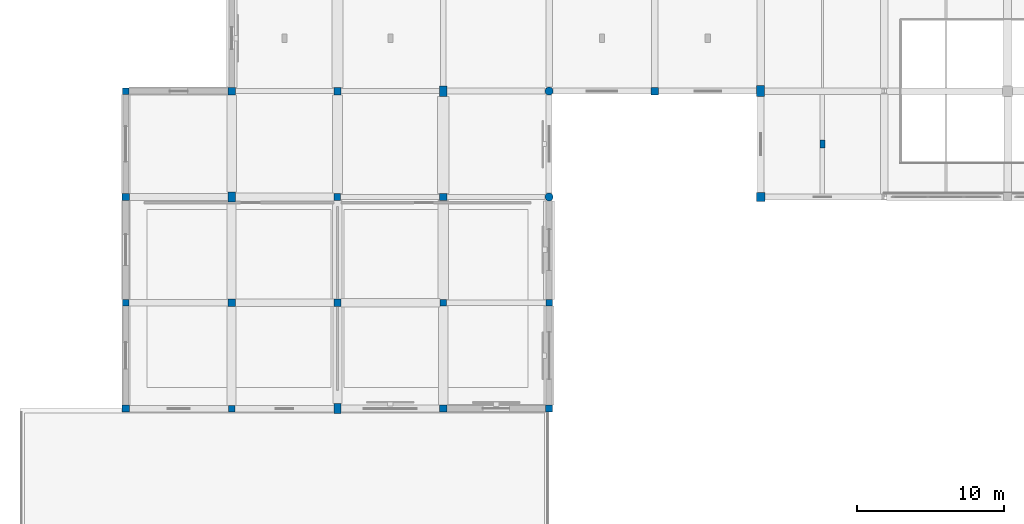
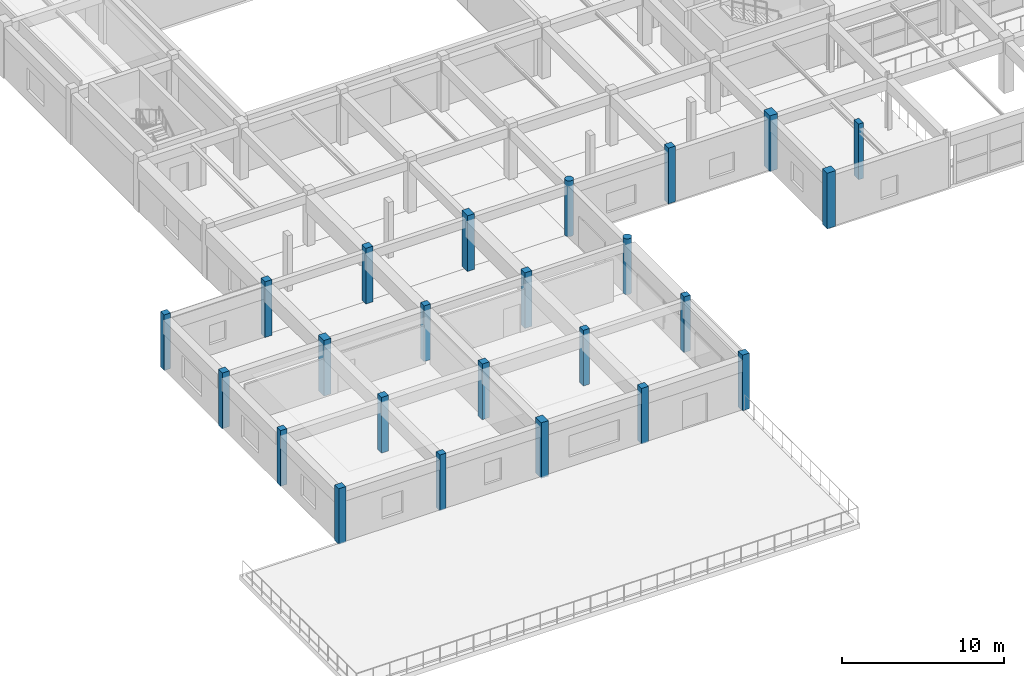
# One storey, part 1 of 71: 24 columns.
"""IFC4 building model written with IfcOpenShell, lengths in metres."""

from ifc_helpers import new_model, si_unit, direction, frame, origin, origin_2d, place, context, subcontext, project, spatial, rectangle, circle, extrude, material, material_profile, profile_set, type_object, element, save


model = new_model("IFC4")

# Units and contexts
model_context = context("Model", 3, precision=1e-05, world=origin(), true_north=direction((0.0, 1.0)))
body_context = subcontext(model_context, "Body", "Model", "MODEL_VIEW")
ifc_project = project(units=[si_unit("LENGTHUNIT", "METRE"), si_unit("AREAUNIT", "SQUARE_METRE"), si_unit("VOLUMEUNIT", "CUBIC_METRE"), si_unit("PLANEANGLEUNIT", "RADIAN"), si_unit("MASSUNIT", "GRAM", prefix="KILO")], contexts=[model_context])

# Site, building, storey
site_placement = place(None, origin())
site = spatial("IfcSite", under=ifc_project, at=site_placement, CompositionType="ELEMENT")
building_placement = place(site_placement, origin())
building = spatial("IfcBuilding", under=site, at=building_placement, Name="Korsvaeld Concert Hall", CompositionType="ELEMENT")
storey_placement = place(building_placement, frame((0.0, 0.0, 4.800048828125)))
storey = spatial("IfcBuildingStorey", under=building, at=storey_placement, Name="L01", CompositionType="ELEMENT", Elevation=4.800048828125)

# Columns
ifc_material = material(Name="Concrete C40/50", Category="concrete")
ifc_material_profile_1 = material_profile(ifc_material, circle(Radius=0.27490234375, at=origin_2d()), Name="RC D550")
ifc_profile_set_1 = profile_set([ifc_material_profile_1], Name="Concrete C40/50")
column_type_1 = type_object("IfcColumnType", Name="COL-COLO-D550", PredefinedType="COLUMN", material=ifc_profile_set_1)
for number, where, z_axis, x_axis, name in (
    (1, (36.0, 28.800048828125, 0.0), (0.0, 0.0, 1.0), (1.0, 0.0, 0.0), "Column 6/E L01"),
    (2, (36.0, 36.0, 0.0), (0.0, 0.0, 1.0), (1.0, 0.0, 0.0), "Column 6/F L01"),
):
    element("IfcColumn", number, at=place(storey_placement, frame(where, z_axis=z_axis, x_axis=x_axis)), inside=storey, type_object=column_type_1, Name=name, PredefinedType="COLUMN", context=body_context, shape_type="SweptSolid", body=[
        extrude(circle(Radius=0.27490234375, at=origin_2d()), origin(), (0.0, 0.0, 1.0), 4.199951171875),
    ])
ifc_material_profile_2 = material_profile(ifc_material, rectangle(XDim=0.449951171875, YDim=0.449951171875, at=origin_2d()), Name="RC 450x450")
ifc_profile_set_2 = profile_set([ifc_material_profile_2], Name="Concrete C40/50")
column_type_2 = type_object("IfcColumnType", Name="COL-RC-450x450", PredefinedType="COLUMN", material=ifc_profile_set_2)
for number, where, z_axis, x_axis, name in (
    (3, (7.199951171875, 21.60009765625, 0.0), (0.0, 0.0, 1.0), (1.0, 0.0, 0.0), "Column 2/D L01"),
    (4, (7.199951171875, 36.0, 0.0), (0.0, 0.0, 1.0), (1.0, 0.0, 0.0), "Column 2/F L01"),
    (5, (14.39990234375, 14.39990234375, 0.0), (0.0, 0.0, 1.0), (1.0, 0.0, 0.0), "Column 3/C L01"),
    (6, (21.60009765625, 28.800048828125, 0.0), (0.0, 0.0, 1.0), (1.0, 0.0, 0.0), "Column 4/E L01"),
    (7, (28.800048828125, 21.60009765625, 0.0), (0.0, 0.0, 1.0), (1.0, 0.0, 0.0), "Column 5/D L01"),
    (8, (36.0, 21.60009765625, 0.0), (0.0, 0.0, 1.0), (1.0, 0.0, 0.0), "Column 6/D L01"),
):
    element("IfcColumn", number, at=place(storey_placement, frame(where, z_axis=z_axis, x_axis=x_axis)), inside=storey, type_object=column_type_2, Name=name, PredefinedType="COLUMN", context=body_context, shape_type="SweptSolid", body=[
        extrude(rectangle(XDim=0.449951171875, YDim=0.449951171875, at=origin_2d()), origin(), (0.0, 0.0, 1.0), 4.199951171875),
    ])
ifc_material_profile_3 = material_profile(ifc_material, rectangle(XDim=0.5, YDim=0.5, at=origin_2d()), Name="RC 500x500")
ifc_profile_set_3 = profile_set([ifc_material_profile_3], Name="Concrete C40/50")
column_type_3 = type_object("IfcColumnType", Name="COL-RC-500x500", PredefinedType="COLUMN", material=ifc_profile_set_3)
for number, where, z_axis, x_axis, name in (
    (9, (7.199951171875, 14.39990234375, 0.0), (0.0, 0.0, 1.0), (1.0, 0.0, 0.0), "Column 2/C L01"),
    (10, (7.199951171875, 28.800048828125, 0.0), (0.0, 0.0, 1.0), (1.0, 0.0, 0.0), "Column 2/E L01"),
    (11, (14.39990234375, 21.60009765625, 0.0), (0.0, 0.0, 1.0), (1.0, 0.0, 0.0), "Column 3/D L01"),
    (12, (14.39990234375, 36.0, 0.0), (0.0, 0.0, 1.0), (1.0, 0.0, 0.0), "Column 3/F L01"),
    (13, (21.60009765625, 21.60009765625, 0.0), (0.0, 0.0, 1.0), (1.0, 0.0, 0.0), "Column 4/D L01"),
    (14, (21.60009765625, 36.0, 0.0), (0.0, 0.0, 1.0), (1.0, 0.0, 0.0), "Column 4/F L01"),
    (15, (28.800048828125, 14.39990234375, 0.0), (0.0, 0.0, 1.0), (1.0, 0.0, 0.0), "Column 5/C L01"),
    (16, (28.800048828125, 28.800048828125, 0.0), (0.0, 0.0, 1.0), (1.0, 0.0, 0.0), "Column 5/E L01"),
    (17, (36.0, 14.39990234375, 0.0), (0.0, 0.0, 1.0), (1.0, 0.0, 0.0), "Column 6/C L01"),
    (18, (43.199951171875, 36.0, 0.0), (0.0, 0.0, 1.0), (1.0, 0.0, 0.0), "Column 7/F L01"),
):
    element("IfcColumn", number, at=place(storey_placement, frame(where, z_axis=z_axis, x_axis=x_axis)), inside=storey, type_object=column_type_3, Name=name, PredefinedType="COLUMN", context=body_context, shape_type="SweptSolid", body=[
        extrude(rectangle(XDim=0.5, YDim=0.5, at=origin_2d()), origin(), (0.0, 0.0, 1.0), 4.199951171875),
    ])
ifc_material_profile_4 = material_profile(ifc_material, rectangle(XDim=0.5, YDim=0.699951171875, at=origin_2d()), Name="RC 500x700")
ifc_profile_set_4 = profile_set([ifc_material_profile_4], Name="Concrete C40/50")
column_type_4 = type_object("IfcColumnType", Name="COL-RC-500x700", PredefinedType="COLUMN", material=ifc_profile_set_4)
for number, where, z_axis, x_axis, name in (
    (19, (14.39990234375, 28.800048828125, 0.0), (0.0, 0.0, 1.0), (1.0, 0.0, 0.0), "Column 3/E L01"),
    (20, (21.60009765625, 14.39990234375, 0.0), (0.0, 0.0, 1.0), (1.0, 0.0, 0.0), "Column 4/C L01"),
    (21, (28.800048828125, 36.0, 0.0), (0.0, 0.0, 1.0), (1.0, 0.0, 0.0), "Column 5/F L01"),
):
    element("IfcColumn", number, at=place(storey_placement, frame(where, z_axis=z_axis, x_axis=x_axis)), inside=storey, type_object=column_type_4, Name=name, PredefinedType="COLUMN", context=body_context, shape_type="SweptSolid", body=[
        extrude(rectangle(XDim=0.5, YDim=0.699951171875, at=origin_2d()), origin(), (0.0, 0.0, 1.0), 4.199951171875),
    ])
ifc_material_profile_5 = material_profile(ifc_material, rectangle(XDim=0.550048828125, YDim=0.75, at=origin_2d()), Name="RC 550x750")
ifc_profile_set_5 = profile_set([ifc_material_profile_5], Name="Concrete C40/50")
column_type_5 = type_object("IfcColumnType", Name="COL-RC-550x750", PredefinedType="COLUMN", material=ifc_profile_set_5)
column_1_placement = place(storey_placement, frame((50.39990234375, 36.0, 0.0), z_axis=(0.0, 0.0, 1.0), x_axis=(1.0, 0.0, 0.0)))
element("IfcColumn", 22, at=column_1_placement, inside=storey, type_object=column_type_5, Name="Column 8/F L01", PredefinedType="COLUMN", context=body_context, shape_type="SweptSolid", body=[
    extrude(rectangle(XDim=0.550048828125, YDim=0.75, at=origin_2d()), origin(), (0.0, 0.0, 1.0), 4.199951171875),
])
ifc_material_profile_6 = material_profile(ifc_material, rectangle(XDim=0.60009765625, YDim=0.60009765625, at=origin_2d()), Name="RC 600x600")
ifc_profile_set_6 = profile_set([ifc_material_profile_6], Name="Concrete C40/50")
column_type_6 = type_object("IfcColumnType", Name="COL-RC-600x600", PredefinedType="COLUMN", material=ifc_profile_set_6)
column_2_placement = place(storey_placement, frame((50.39990234375, 28.800048828125, 0.0), z_axis=(0.0, 0.0, 1.0), x_axis=(1.0, 0.0, 0.0)))
element("IfcColumn", 23, at=column_2_placement, inside=storey, type_object=column_type_6, Name="Column 8/E L01", PredefinedType="COLUMN", context=body_context, shape_type="SweptSolid", body=[
    extrude(rectangle(XDim=0.60009765625, YDim=0.60009765625, at=origin_2d()), origin(), (0.0, 0.0, 1.0), 4.199951171875),
])
ifc_material_profile_7 = material_profile(ifc_material, rectangle(XDim=0.35009765625, YDim=0.550048828125, at=origin_2d()), Name="RC 350x550")
ifc_profile_set_7 = profile_set([ifc_material_profile_7], Name="Concrete C40/50")
column_type_7 = type_object("IfcColumnType", Name="PIL-RC-350x550", PredefinedType="PILASTER", material=ifc_profile_set_7)
column_3_placement = place(storey_placement, frame((54.60009765625, 32.39990234375, 0.0), z_axis=(0.0, 0.0, 1.0), x_axis=(1.0, 0.0, 0.0)))
element("IfcColumn", 24, at=column_3_placement, inside=storey, type_object=column_type_7, Name="Colonnade pilaster PL-03 L01", PredefinedType="PILASTER", context=body_context, shape_type="SweptSolid", body=[
    extrude(rectangle(XDim=0.35009765625, YDim=0.550048828125, at=origin_2d()), origin(), (0.0, 0.0, 1.0), 4.199951171875),
])

save(model, "model.ifc")
